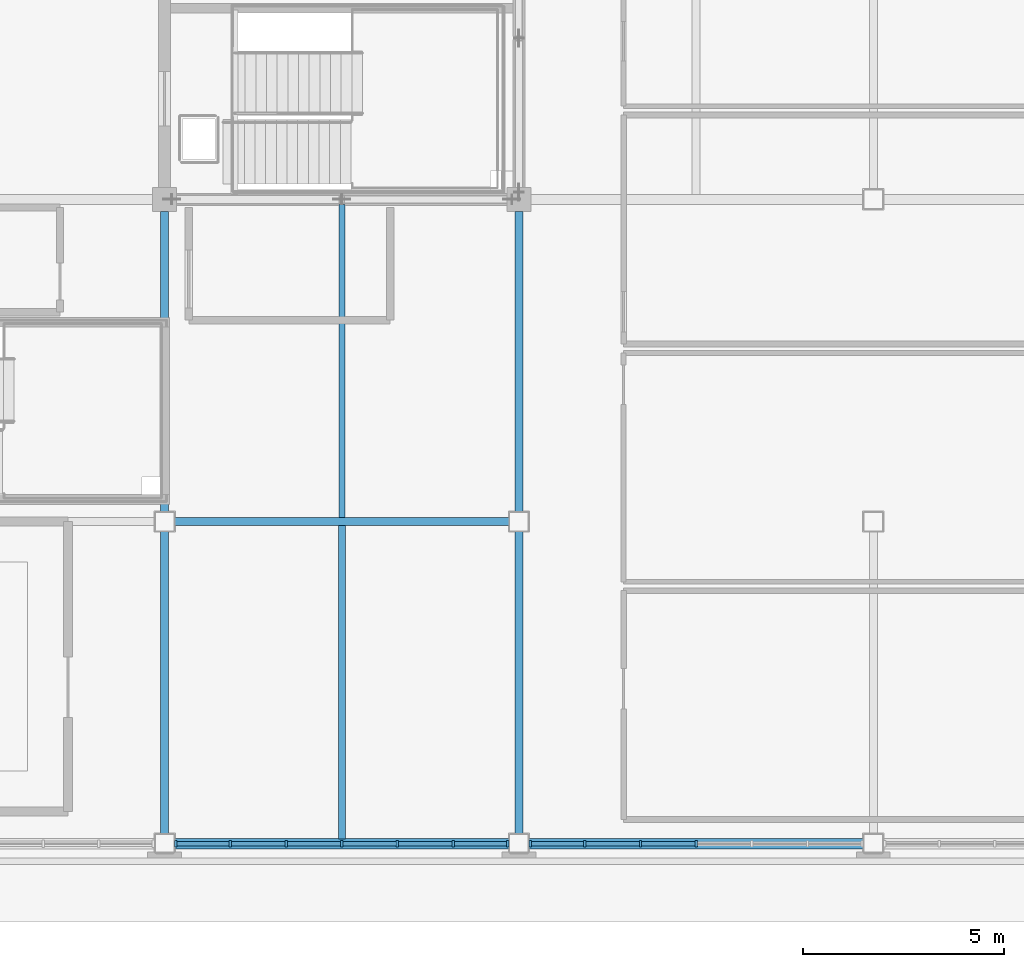
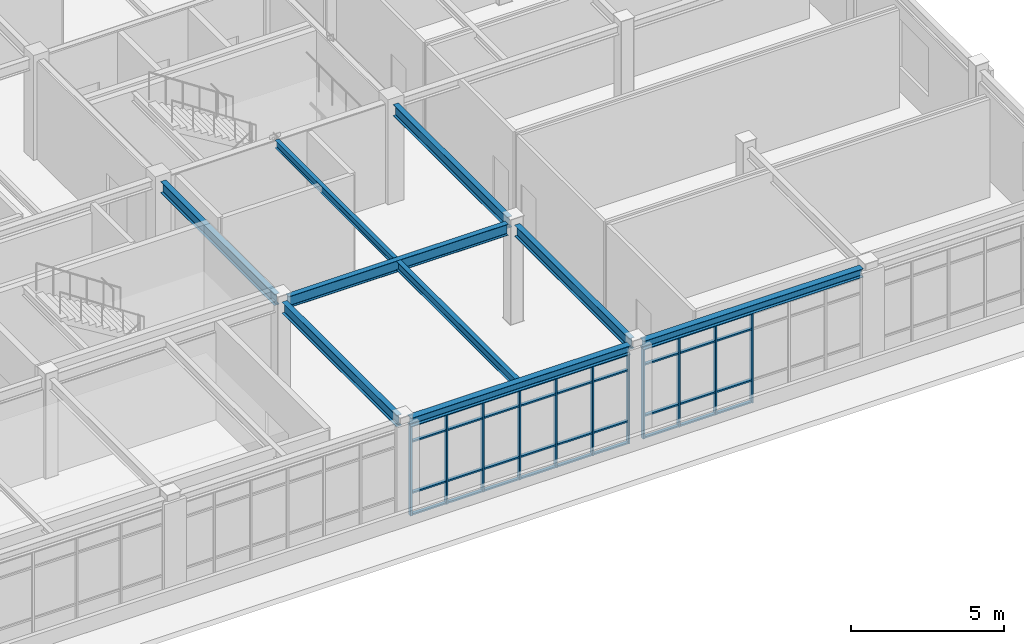
# One storey, part 4 of 22: 47 members, 9 beams, 2 elements without a shape of their own.
"""IFC4 building model written with IfcOpenShell, lengths in metres."""

from ifc_helpers import new_model, si_unit, direction, frame, origin, origin_2d, place, context, subcontext, project, spatial, rectangle, i_section, extrude, material, material_profile, profile_set, type_object, element, aggregate, save


model = new_model("IFC4")

# Units and contexts
model_context = context("Model", 3, precision=1e-05, world=origin(), true_north=direction((0.0, 1.0)))
body_context = subcontext(model_context, "Body", "Model", "MODEL_VIEW")
ifc_project = project(units=[si_unit("LENGTHUNIT", "METRE"), si_unit("AREAUNIT", "SQUARE_METRE"), si_unit("VOLUMEUNIT", "CUBIC_METRE"), si_unit("PLANEANGLEUNIT", "RADIAN"), si_unit("MASSUNIT", "GRAM", prefix="KILO")], contexts=[model_context])

# Site, building, storey
site_placement = place(None, origin())
site = spatial("IfcSite", under=ifc_project, at=site_placement, CompositionType="ELEMENT")
building_placement = place(site_placement, origin())
building = spatial("IfcBuilding", under=site, at=building_placement, Name="Zhaolan Boulevard Law Courts", CompositionType="ELEMENT")
storey_placement = place(building_placement, frame((0.0, 0.0, 28.800048828125)))
storey = spatial("IfcBuildingStorey", under=building, at=storey_placement, Name="L06", CompositionType="ELEMENT", Elevation=28.800048828125)

# Curtain wall, members
ifc_material_1 = material(Name="Thermally broken aluminium and low-E glazing", Category="aluminium")
curtain_wall_type_1 = type_object("IfcCurtainWallType", Name="CURTAIN WALL M10", PredefinedType="USERDEFINED", material=ifc_material_1)
curtain_wall_1_placement = place(storey_placement, origin())
curtain_wall_1 = element("IfcCurtainWall", 1, at=curtain_wall_1_placement, inside=storey, type_object=curtain_wall_type_1, Name="Curtain Wall CW-L06-226", ObjectType="CURTAIN WALL", PredefinedType="USERDEFINED")
ifc_material_2 = material(Name="Fluorocarbon-coated aluminium 6063-T6", Category="aluminium")
ifc_material_profile_1 = material_profile(ifc_material_2, rectangle(XDim=0.159912109375, YDim=0.06005859375, at=origin_2d()), Name="AL60x160")
ifc_profile_set_1 = profile_set([ifc_material_profile_1], Name="Fluorocarbon-coated aluminium 6063-T6")
member_type_1 = type_object("IfcMemberType", Name="CWMULLION 60X160", PredefinedType="MULLION", material=ifc_profile_set_1)
member_1_placement = place(storey_placement, frame((17.882080078125, 30.0, 0.0), z_axis=(0.0, 0.0, 1.0), x_axis=(0.0, 1.0, 0.0)))
member_1 = element("IfcMember", 2, at=member_1_placement, type_object=member_type_1, Name="CW-L06-226 mullion 1", PredefinedType="MULLION", context=body_context, shape_type="SweptSolid", body=[
    extrude(rectangle(XDim=0.159912109375, YDim=0.06005859375, at=origin_2d()), origin(), (0.0, 0.0, 1.0), 3.593017578125),
])
member_2_placement = place(storey_placement, frame((19.234619140625, 30.0, 0.0), z_axis=(0.0, 0.0, 1.0), x_axis=(0.0, 1.0, 0.0)))
member_2 = element("IfcMember", 3, at=member_2_placement, type_object=member_type_1, Name="CW-L06-226 mullion 2", PredefinedType="MULLION", context=body_context, shape_type="SweptSolid", body=[
    extrude(rectangle(XDim=0.159912109375, YDim=0.06005859375, at=origin_2d()), origin(), (0.0, 0.0, 1.0), 3.593017578125),
])
member_3_placement = place(storey_placement, frame((20.617431640625, 30.0, 0.0), z_axis=(0.0, 0.0, 1.0), x_axis=(0.0, 1.0, 0.0)))
member_3 = element("IfcMember", 4, at=member_3_placement, type_object=member_type_1, Name="CW-L06-226 mullion 3", PredefinedType="MULLION", context=body_context, shape_type="SweptSolid", body=[
    extrude(rectangle(XDim=0.159912109375, YDim=0.06005859375, at=origin_2d()), origin(), (0.0, 0.0, 1.0), 3.593017578125),
])
member_4_placement = place(storey_placement, frame((22.0, 30.0, 0.0), z_axis=(0.0, 0.0, 1.0), x_axis=(0.0, 1.0, 0.0)))
member_4 = element("IfcMember", 5, at=member_4_placement, type_object=member_type_1, Name="CW-L06-226 mullion 4", PredefinedType="MULLION", context=body_context, shape_type="SweptSolid", body=[
    extrude(rectangle(XDim=0.159912109375, YDim=0.06005859375, at=origin_2d()), origin(), (0.0, 0.0, 1.0), 3.593017578125),
])
member_5_placement = place(storey_placement, frame((23.382568359375, 30.0, 0.0), z_axis=(0.0, 0.0, 1.0), x_axis=(0.0, 1.0, 0.0)))
member_5 = element("IfcMember", 6, at=member_5_placement, type_object=member_type_1, Name="CW-L06-226 mullion 5", PredefinedType="MULLION", context=body_context, shape_type="SweptSolid", body=[
    extrude(rectangle(XDim=0.159912109375, YDim=0.06005859375, at=origin_2d()), origin(), (0.0, 0.0, 1.0), 3.593017578125),
])
member_6_placement = place(storey_placement, frame((24.765380859375, 30.0, 0.0), z_axis=(0.0, 0.0, 1.0), x_axis=(0.0, 1.0, 0.0)))
member_6 = element("IfcMember", 7, at=member_6_placement, type_object=member_type_1, Name="CW-L06-226 mullion 6", PredefinedType="MULLION", context=body_context, shape_type="SweptSolid", body=[
    extrude(rectangle(XDim=0.159912109375, YDim=0.06005859375, at=origin_2d()), origin(), (0.0, 0.0, 1.0), 3.593017578125),
])
member_7_placement = place(storey_placement, frame((26.117919921875, 30.0, 0.0), z_axis=(0.0, 0.0, 1.0), x_axis=(0.0, 1.0, 0.0)))
member_7 = element("IfcMember", 8, at=member_7_placement, type_object=member_type_1, Name="CW-L06-226 mullion 7", PredefinedType="MULLION", context=body_context, shape_type="SweptSolid", body=[
    extrude(rectangle(XDim=0.159912109375, YDim=0.06005859375, at=origin_2d()), origin(), (0.0, 0.0, 1.0), 3.593017578125),
])

ifc_material_3 = material(Name="Thermally broken aluminium and low-E glazing", Category="aluminium")
curtain_wall_type_2 = type_object("IfcCurtainWallType", Name="CURTAIN WALL M11", PredefinedType="USERDEFINED", material=ifc_material_3)
curtain_wall_2_placement = place(storey_placement, origin())
curtain_wall_2 = element("IfcCurtainWall", 9, at=curtain_wall_2_placement, inside=storey, type_object=curtain_wall_type_2, Name="Curtain Wall CW-L06-227", ObjectType="CURTAIN WALL", PredefinedType="USERDEFINED")
member_8_placement = place(storey_placement, frame((26.681884765625, 30.0, 0.0), z_axis=(0.0, 0.0, 1.0), x_axis=(0.0, 1.0, 0.0)))
member_8 = element("IfcMember", 10, at=member_8_placement, type_object=member_type_1, Name="CW-L06-227 mullion 1", PredefinedType="MULLION", context=body_context, shape_type="SweptSolid", body=[
    extrude(rectangle(XDim=0.159912109375, YDim=0.06005859375, at=origin_2d()), origin(), (0.0, 0.0, 1.0), 3.593017578125),
])
member_9_placement = place(storey_placement, frame((28.03466796875, 30.0, 0.0), z_axis=(0.0, 0.0, 1.0), x_axis=(0.0, 1.0, 0.0)))
member_9 = element("IfcMember", 11, at=member_9_placement, type_object=member_type_1, Name="CW-L06-227 mullion 2", PredefinedType="MULLION", context=body_context, shape_type="SweptSolid", body=[
    extrude(rectangle(XDim=0.159912109375, YDim=0.06005859375, at=origin_2d()), origin(), (0.0, 0.0, 1.0), 3.593017578125),
])
member_10_placement = place(storey_placement, frame((29.417236328125, 30.0, 0.0), z_axis=(0.0, 0.0, 1.0), x_axis=(0.0, 1.0, 0.0)))
member_10 = element("IfcMember", 12, at=member_10_placement, type_object=member_type_1, Name="CW-L06-227 mullion 3", PredefinedType="MULLION", context=body_context, shape_type="SweptSolid", body=[
    extrude(rectangle(XDim=0.159912109375, YDim=0.06005859375, at=origin_2d()), origin(), (0.0, 0.0, 1.0), 3.593017578125),
])
member_11_placement = place(storey_placement, frame((30.800048828125, 30.0, 0.0), z_axis=(0.0, 0.0, 1.0), x_axis=(0.0, 1.0, 0.0)))
member_11 = element("IfcMember", 13, at=member_11_placement, type_object=member_type_1, Name="CW-L06-227 mullion 4", PredefinedType="MULLION", context=body_context, shape_type="SweptSolid", body=[
    extrude(rectangle(XDim=0.159912109375, YDim=0.06005859375, at=origin_2d()), origin(), (0.0, 0.0, 1.0), 3.593017578125),
])

# Member
ifc_material_4 = material(Name="Fluorocarbon-coated aluminium 6063-T6", Category="aluminium")
ifc_material_profile_2 = material_profile(ifc_material_4, rectangle(XDim=0.1201171875, YDim=0.06005859375, at=origin_2d()), Name="AL60x120")
ifc_profile_set_2 = profile_set([ifc_material_profile_2], Name="Fluorocarbon-coated aluminium 6063-T6")
member_type_2 = type_object("IfcMemberType", Name="CWTRANSOM 60X120", PredefinedType="USERDEFINED", material=ifc_profile_set_2)
member_12_placement = place(storey_placement, frame((17.912109375, 30.0, 0.030029296875), z_axis=(1.0, 0.0, 0.0), x_axis=(0.0, 1.0, 0.0)))
member_12 = element("IfcMember", 14, at=member_12_placement, type_object=member_type_2, Name="CW-L06-226 transom 1.1", ObjectType="TRANSOM", PredefinedType="USERDEFINED", context=body_context, shape_type="SweptSolid", body=[
    extrude(rectangle(XDim=0.1201171875, YDim=0.06005859375, at=origin_2d()), origin(), (0.0, 0.0, 1.0), 1.29248046875),
])

member_13_placement = place(storey_placement, frame((17.912109375, 30.0, 0.89990234375), z_axis=(1.0, 0.0, 0.0), x_axis=(0.0, 1.0, 0.0)))
member_13 = element("IfcMember", 15, at=member_13_placement, type_object=member_type_2, Name="CW-L06-226 transom 1.2", ObjectType="TRANSOM", PredefinedType="USERDEFINED", context=body_context, shape_type="SweptSolid", body=[
    extrude(rectangle(XDim=0.1201171875, YDim=0.06005859375, at=origin_2d()), origin(), (0.0, 0.0, 1.0), 1.29248046875),
])

member_14_placement = place(storey_placement, frame((17.912109375, 30.0, 2.94287109375), z_axis=(1.0, 0.0, 0.0), x_axis=(0.0, 1.0, 0.0)))
member_14 = element("IfcMember", 16, at=member_14_placement, type_object=member_type_2, Name="CW-L06-226 transom 1.3", ObjectType="TRANSOM", PredefinedType="USERDEFINED", context=body_context, shape_type="SweptSolid", body=[
    extrude(rectangle(XDim=0.1201171875, YDim=0.06005859375, at=origin_2d()), origin(), (0.0, 0.0, 1.0), 1.29248046875),
])

member_15_placement = place(storey_placement, frame((17.912109375, 30.0, 3.56298828125), z_axis=(1.0, 0.0, 0.0), x_axis=(0.0, 1.0, 0.0)))
member_15 = element("IfcMember", 17, at=member_15_placement, type_object=member_type_2, Name="CW-L06-226 transom 1.4", ObjectType="TRANSOM", PredefinedType="USERDEFINED", context=body_context, shape_type="SweptSolid", body=[
    extrude(rectangle(XDim=0.1201171875, YDim=0.06005859375, at=origin_2d()), origin(), (0.0, 0.0, 1.0), 1.29248046875),
])

member_16_placement = place(storey_placement, frame((19.2646484375, 30.0, 0.030029296875), z_axis=(1.0, 0.0, 0.0), x_axis=(0.0, 1.0, 0.0)))
member_16 = element("IfcMember", 18, at=member_16_placement, type_object=member_type_2, Name="CW-L06-226 transom 2.1", ObjectType="TRANSOM", PredefinedType="USERDEFINED", context=body_context, shape_type="SweptSolid", body=[
    extrude(rectangle(XDim=0.1201171875, YDim=0.06005859375, at=origin_2d()), origin(), (0.0, 0.0, 1.0), 1.32275390625),
])

member_17_placement = place(storey_placement, frame((19.2646484375, 30.0, 0.89990234375), z_axis=(1.0, 0.0, 0.0), x_axis=(0.0, 1.0, 0.0)))
member_17 = element("IfcMember", 19, at=member_17_placement, type_object=member_type_2, Name="CW-L06-226 transom 2.2", ObjectType="TRANSOM", PredefinedType="USERDEFINED", context=body_context, shape_type="SweptSolid", body=[
    extrude(rectangle(XDim=0.1201171875, YDim=0.06005859375, at=origin_2d()), origin(), (0.0, 0.0, 1.0), 1.32275390625),
])

member_18_placement = place(storey_placement, frame((19.2646484375, 30.0, 2.94287109375), z_axis=(1.0, 0.0, 0.0), x_axis=(0.0, 1.0, 0.0)))
member_18 = element("IfcMember", 20, at=member_18_placement, type_object=member_type_2, Name="CW-L06-226 transom 2.3", ObjectType="TRANSOM", PredefinedType="USERDEFINED", context=body_context, shape_type="SweptSolid", body=[
    extrude(rectangle(XDim=0.1201171875, YDim=0.06005859375, at=origin_2d()), origin(), (0.0, 0.0, 1.0), 1.32275390625),
])

member_19_placement = place(storey_placement, frame((19.2646484375, 30.0, 3.56298828125), z_axis=(1.0, 0.0, 0.0), x_axis=(0.0, 1.0, 0.0)))
member_19 = element("IfcMember", 21, at=member_19_placement, type_object=member_type_2, Name="CW-L06-226 transom 2.4", ObjectType="TRANSOM", PredefinedType="USERDEFINED", context=body_context, shape_type="SweptSolid", body=[
    extrude(rectangle(XDim=0.1201171875, YDim=0.06005859375, at=origin_2d()), origin(), (0.0, 0.0, 1.0), 1.32275390625),
])

member_20_placement = place(storey_placement, frame((20.647216796875, 30.0, 0.030029296875), z_axis=(1.0, 0.0, 0.0), x_axis=(0.0, 1.0, 0.0)))
member_20 = element("IfcMember", 22, at=member_20_placement, type_object=member_type_2, Name="CW-L06-226 transom 3.1", ObjectType="TRANSOM", PredefinedType="USERDEFINED", context=body_context, shape_type="SweptSolid", body=[
    extrude(rectangle(XDim=0.1201171875, YDim=0.06005859375, at=origin_2d()), origin(), (0.0, 0.0, 1.0), 1.32275390625),
])

member_21_placement = place(storey_placement, frame((20.647216796875, 30.0, 0.89990234375), z_axis=(1.0, 0.0, 0.0), x_axis=(0.0, 1.0, 0.0)))
member_21 = element("IfcMember", 23, at=member_21_placement, type_object=member_type_2, Name="CW-L06-226 transom 3.2", ObjectType="TRANSOM", PredefinedType="USERDEFINED", context=body_context, shape_type="SweptSolid", body=[
    extrude(rectangle(XDim=0.1201171875, YDim=0.06005859375, at=origin_2d()), origin(), (0.0, 0.0, 1.0), 1.32275390625),
])

member_22_placement = place(storey_placement, frame((20.647216796875, 30.0, 2.94287109375), z_axis=(1.0, 0.0, 0.0), x_axis=(0.0, 1.0, 0.0)))
member_22 = element("IfcMember", 24, at=member_22_placement, type_object=member_type_2, Name="CW-L06-226 transom 3.3", ObjectType="TRANSOM", PredefinedType="USERDEFINED", context=body_context, shape_type="SweptSolid", body=[
    extrude(rectangle(XDim=0.1201171875, YDim=0.06005859375, at=origin_2d()), origin(), (0.0, 0.0, 1.0), 1.32275390625),
])

member_23_placement = place(storey_placement, frame((20.647216796875, 30.0, 3.56298828125), z_axis=(1.0, 0.0, 0.0), x_axis=(0.0, 1.0, 0.0)))
member_23 = element("IfcMember", 25, at=member_23_placement, type_object=member_type_2, Name="CW-L06-226 transom 3.4", ObjectType="TRANSOM", PredefinedType="USERDEFINED", context=body_context, shape_type="SweptSolid", body=[
    extrude(rectangle(XDim=0.1201171875, YDim=0.06005859375, at=origin_2d()), origin(), (0.0, 0.0, 1.0), 1.32275390625),
])

member_24_placement = place(storey_placement, frame((22.030029296875, 30.0, 0.030029296875), z_axis=(1.0, 0.0, 0.0), x_axis=(0.0, 1.0, 0.0)))
member_24 = element("IfcMember", 26, at=member_24_placement, type_object=member_type_2, Name="CW-L06-226 transom 4.1", ObjectType="TRANSOM", PredefinedType="USERDEFINED", context=body_context, shape_type="SweptSolid", body=[
    extrude(rectangle(XDim=0.1201171875, YDim=0.06005859375, at=origin_2d()), origin(), (0.0, 0.0, 1.0), 1.32275390625),
])

member_25_placement = place(storey_placement, frame((22.030029296875, 30.0, 0.89990234375), z_axis=(1.0, 0.0, 0.0), x_axis=(0.0, 1.0, 0.0)))
member_25 = element("IfcMember", 27, at=member_25_placement, type_object=member_type_2, Name="CW-L06-226 transom 4.2", ObjectType="TRANSOM", PredefinedType="USERDEFINED", context=body_context, shape_type="SweptSolid", body=[
    extrude(rectangle(XDim=0.1201171875, YDim=0.06005859375, at=origin_2d()), origin(), (0.0, 0.0, 1.0), 1.32275390625),
])

member_26_placement = place(storey_placement, frame((22.030029296875, 30.0, 2.94287109375), z_axis=(1.0, 0.0, 0.0), x_axis=(0.0, 1.0, 0.0)))
member_26 = element("IfcMember", 28, at=member_26_placement, type_object=member_type_2, Name="CW-L06-226 transom 4.3", ObjectType="TRANSOM", PredefinedType="USERDEFINED", context=body_context, shape_type="SweptSolid", body=[
    extrude(rectangle(XDim=0.1201171875, YDim=0.06005859375, at=origin_2d()), origin(), (0.0, 0.0, 1.0), 1.32275390625),
])

member_27_placement = place(storey_placement, frame((22.030029296875, 30.0, 3.56298828125), z_axis=(1.0, 0.0, 0.0), x_axis=(0.0, 1.0, 0.0)))
member_27 = element("IfcMember", 29, at=member_27_placement, type_object=member_type_2, Name="CW-L06-226 transom 4.4", ObjectType="TRANSOM", PredefinedType="USERDEFINED", context=body_context, shape_type="SweptSolid", body=[
    extrude(rectangle(XDim=0.1201171875, YDim=0.06005859375, at=origin_2d()), origin(), (0.0, 0.0, 1.0), 1.32275390625),
])

member_28_placement = place(storey_placement, frame((23.41259765625, 30.0, 0.030029296875), z_axis=(1.0, 0.0, 0.0), x_axis=(0.0, 1.0, 0.0)))
member_28 = element("IfcMember", 30, at=member_28_placement, type_object=member_type_2, Name="CW-L06-226 transom 5.1", ObjectType="TRANSOM", PredefinedType="USERDEFINED", context=body_context, shape_type="SweptSolid", body=[
    extrude(rectangle(XDim=0.1201171875, YDim=0.06005859375, at=origin_2d()), origin(), (0.0, 0.0, 1.0), 1.32275390625),
])

member_29_placement = place(storey_placement, frame((23.41259765625, 30.0, 0.89990234375), z_axis=(1.0, 0.0, 0.0), x_axis=(0.0, 1.0, 0.0)))
member_29 = element("IfcMember", 31, at=member_29_placement, type_object=member_type_2, Name="CW-L06-226 transom 5.2", ObjectType="TRANSOM", PredefinedType="USERDEFINED", context=body_context, shape_type="SweptSolid", body=[
    extrude(rectangle(XDim=0.1201171875, YDim=0.06005859375, at=origin_2d()), origin(), (0.0, 0.0, 1.0), 1.32275390625),
])

member_30_placement = place(storey_placement, frame((23.41259765625, 30.0, 2.94287109375), z_axis=(1.0, 0.0, 0.0), x_axis=(0.0, 1.0, 0.0)))
member_30 = element("IfcMember", 32, at=member_30_placement, type_object=member_type_2, Name="CW-L06-226 transom 5.3", ObjectType="TRANSOM", PredefinedType="USERDEFINED", context=body_context, shape_type="SweptSolid", body=[
    extrude(rectangle(XDim=0.1201171875, YDim=0.06005859375, at=origin_2d()), origin(), (0.0, 0.0, 1.0), 1.32275390625),
])

member_31_placement = place(storey_placement, frame((23.41259765625, 30.0, 3.56298828125), z_axis=(1.0, 0.0, 0.0), x_axis=(0.0, 1.0, 0.0)))
member_31 = element("IfcMember", 33, at=member_31_placement, type_object=member_type_2, Name="CW-L06-226 transom 5.4", ObjectType="TRANSOM", PredefinedType="USERDEFINED", context=body_context, shape_type="SweptSolid", body=[
    extrude(rectangle(XDim=0.1201171875, YDim=0.06005859375, at=origin_2d()), origin(), (0.0, 0.0, 1.0), 1.32275390625),
])

member_32_placement = place(storey_placement, frame((24.79541015625, 30.0, 0.030029296875), z_axis=(1.0, 0.0, 0.0), x_axis=(0.0, 1.0, 0.0)))
member_32 = element("IfcMember", 34, at=member_32_placement, type_object=member_type_2, Name="CW-L06-226 transom 6.1", ObjectType="TRANSOM", PredefinedType="USERDEFINED", context=body_context, shape_type="SweptSolid", body=[
    extrude(rectangle(XDim=0.1201171875, YDim=0.06005859375, at=origin_2d()), origin(), (0.0, 0.0, 1.0), 1.29248046875),
])

member_33_placement = place(storey_placement, frame((24.79541015625, 30.0, 0.89990234375), z_axis=(1.0, 0.0, 0.0), x_axis=(0.0, 1.0, 0.0)))
member_33 = element("IfcMember", 35, at=member_33_placement, type_object=member_type_2, Name="CW-L06-226 transom 6.2", ObjectType="TRANSOM", PredefinedType="USERDEFINED", context=body_context, shape_type="SweptSolid", body=[
    extrude(rectangle(XDim=0.1201171875, YDim=0.06005859375, at=origin_2d()), origin(), (0.0, 0.0, 1.0), 1.29248046875),
])

member_34_placement = place(storey_placement, frame((24.79541015625, 30.0, 2.94287109375), z_axis=(1.0, 0.0, 0.0), x_axis=(0.0, 1.0, 0.0)))
member_34 = element("IfcMember", 36, at=member_34_placement, type_object=member_type_2, Name="CW-L06-226 transom 6.3", ObjectType="TRANSOM", PredefinedType="USERDEFINED", context=body_context, shape_type="SweptSolid", body=[
    extrude(rectangle(XDim=0.1201171875, YDim=0.06005859375, at=origin_2d()), origin(), (0.0, 0.0, 1.0), 1.29248046875),
])

member_35_placement = place(storey_placement, frame((24.79541015625, 30.0, 3.56298828125), z_axis=(1.0, 0.0, 0.0), x_axis=(0.0, 1.0, 0.0)))
member_35 = element("IfcMember", 37, at=member_35_placement, type_object=member_type_2, Name="CW-L06-226 transom 6.4", ObjectType="TRANSOM", PredefinedType="USERDEFINED", context=body_context, shape_type="SweptSolid", body=[
    extrude(rectangle(XDim=0.1201171875, YDim=0.06005859375, at=origin_2d()), origin(), (0.0, 0.0, 1.0), 1.29248046875),
])

aggregate(curtain_wall_1, [member_1, member_2, member_3, member_4, member_5, member_6, member_7, member_12, member_13, member_14, member_15, member_16, member_17, member_18, member_19, member_20, member_21, member_22, member_23, member_24, member_25, member_26, member_27, member_28, member_29, member_30, member_31, member_32, member_33, member_34, member_35])

member_36_placement = place(storey_placement, frame((26.7119140625, 30.0, 0.030029296875), z_axis=(1.0, 0.0, 0.0), x_axis=(0.0, 1.0, 0.0)))
member_36 = element("IfcMember", 38, at=member_36_placement, type_object=member_type_2, Name="CW-L06-227 transom 1.1", ObjectType="TRANSOM", PredefinedType="USERDEFINED", context=body_context, shape_type="SweptSolid", body=[
    extrude(rectangle(XDim=0.1201171875, YDim=0.06005859375, at=origin_2d()), origin(), (0.0, 0.0, 1.0), 1.292724609375),
])

member_37_placement = place(storey_placement, frame((26.7119140625, 30.0, 0.89990234375), z_axis=(1.0, 0.0, 0.0), x_axis=(0.0, 1.0, 0.0)))
member_37 = element("IfcMember", 39, at=member_37_placement, type_object=member_type_2, Name="CW-L06-227 transom 1.2", ObjectType="TRANSOM", PredefinedType="USERDEFINED", context=body_context, shape_type="SweptSolid", body=[
    extrude(rectangle(XDim=0.1201171875, YDim=0.06005859375, at=origin_2d()), origin(), (0.0, 0.0, 1.0), 1.292724609375),
])

member_38_placement = place(storey_placement, frame((26.7119140625, 30.0, 2.94287109375), z_axis=(1.0, 0.0, 0.0), x_axis=(0.0, 1.0, 0.0)))
member_38 = element("IfcMember", 40, at=member_38_placement, type_object=member_type_2, Name="CW-L06-227 transom 1.3", ObjectType="TRANSOM", PredefinedType="USERDEFINED", context=body_context, shape_type="SweptSolid", body=[
    extrude(rectangle(XDim=0.1201171875, YDim=0.06005859375, at=origin_2d()), origin(), (0.0, 0.0, 1.0), 1.292724609375),
])

member_39_placement = place(storey_placement, frame((26.7119140625, 30.0, 3.56298828125), z_axis=(1.0, 0.0, 0.0), x_axis=(0.0, 1.0, 0.0)))
member_39 = element("IfcMember", 41, at=member_39_placement, type_object=member_type_2, Name="CW-L06-227 transom 1.4", ObjectType="TRANSOM", PredefinedType="USERDEFINED", context=body_context, shape_type="SweptSolid", body=[
    extrude(rectangle(XDim=0.1201171875, YDim=0.06005859375, at=origin_2d()), origin(), (0.0, 0.0, 1.0), 1.292724609375),
])

member_40_placement = place(storey_placement, frame((28.064697265625, 30.0, 0.030029296875), z_axis=(1.0, 0.0, 0.0), x_axis=(0.0, 1.0, 0.0)))
member_40 = element("IfcMember", 42, at=member_40_placement, type_object=member_type_2, Name="CW-L06-227 transom 2.1", ObjectType="TRANSOM", PredefinedType="USERDEFINED", context=body_context, shape_type="SweptSolid", body=[
    extrude(rectangle(XDim=0.1201171875, YDim=0.06005859375, at=origin_2d()), origin(), (0.0, 0.0, 1.0), 1.32275390625),
])

member_41_placement = place(storey_placement, frame((28.064697265625, 30.0, 0.89990234375), z_axis=(1.0, 0.0, 0.0), x_axis=(0.0, 1.0, 0.0)))
member_41 = element("IfcMember", 43, at=member_41_placement, type_object=member_type_2, Name="CW-L06-227 transom 2.2", ObjectType="TRANSOM", PredefinedType="USERDEFINED", context=body_context, shape_type="SweptSolid", body=[
    extrude(rectangle(XDim=0.1201171875, YDim=0.06005859375, at=origin_2d()), origin(), (0.0, 0.0, 1.0), 1.32275390625),
])

member_42_placement = place(storey_placement, frame((28.064697265625, 30.0, 2.94287109375), z_axis=(1.0, 0.0, 0.0), x_axis=(0.0, 1.0, 0.0)))
member_42 = element("IfcMember", 44, at=member_42_placement, type_object=member_type_2, Name="CW-L06-227 transom 2.3", ObjectType="TRANSOM", PredefinedType="USERDEFINED", context=body_context, shape_type="SweptSolid", body=[
    extrude(rectangle(XDim=0.1201171875, YDim=0.06005859375, at=origin_2d()), origin(), (0.0, 0.0, 1.0), 1.32275390625),
])

member_43_placement = place(storey_placement, frame((28.064697265625, 30.0, 3.56298828125), z_axis=(1.0, 0.0, 0.0), x_axis=(0.0, 1.0, 0.0)))
member_43 = element("IfcMember", 45, at=member_43_placement, type_object=member_type_2, Name="CW-L06-227 transom 2.4", ObjectType="TRANSOM", PredefinedType="USERDEFINED", context=body_context, shape_type="SweptSolid", body=[
    extrude(rectangle(XDim=0.1201171875, YDim=0.06005859375, at=origin_2d()), origin(), (0.0, 0.0, 1.0), 1.32275390625),
])

member_44_placement = place(storey_placement, frame((29.447265625, 30.0, 0.030029296875), z_axis=(1.0, 0.0, 0.0), x_axis=(0.0, 1.0, 0.0)))
member_44 = element("IfcMember", 46, at=member_44_placement, type_object=member_type_2, Name="CW-L06-227 transom 3.1", ObjectType="TRANSOM", PredefinedType="USERDEFINED", context=body_context, shape_type="SweptSolid", body=[
    extrude(rectangle(XDim=0.1201171875, YDim=0.06005859375, at=origin_2d()), origin(), (0.0, 0.0, 1.0), 1.32275390625),
])

member_45_placement = place(storey_placement, frame((29.447265625, 30.0, 0.89990234375), z_axis=(1.0, 0.0, 0.0), x_axis=(0.0, 1.0, 0.0)))
member_45 = element("IfcMember", 47, at=member_45_placement, type_object=member_type_2, Name="CW-L06-227 transom 3.2", ObjectType="TRANSOM", PredefinedType="USERDEFINED", context=body_context, shape_type="SweptSolid", body=[
    extrude(rectangle(XDim=0.1201171875, YDim=0.06005859375, at=origin_2d()), origin(), (0.0, 0.0, 1.0), 1.32275390625),
])

member_46_placement = place(storey_placement, frame((29.447265625, 30.0, 2.94287109375), z_axis=(1.0, 0.0, 0.0), x_axis=(0.0, 1.0, 0.0)))
member_46 = element("IfcMember", 48, at=member_46_placement, type_object=member_type_2, Name="CW-L06-227 transom 3.3", ObjectType="TRANSOM", PredefinedType="USERDEFINED", context=body_context, shape_type="SweptSolid", body=[
    extrude(rectangle(XDim=0.1201171875, YDim=0.06005859375, at=origin_2d()), origin(), (0.0, 0.0, 1.0), 1.32275390625),
])

member_47_placement = place(storey_placement, frame((29.447265625, 30.0, 3.56298828125), z_axis=(1.0, 0.0, 0.0), x_axis=(0.0, 1.0, 0.0)))
member_47 = element("IfcMember", 49, at=member_47_placement, type_object=member_type_2, Name="CW-L06-227 transom 3.4", ObjectType="TRANSOM", PredefinedType="USERDEFINED", context=body_context, shape_type="SweptSolid", body=[
    extrude(rectangle(XDim=0.1201171875, YDim=0.06005859375, at=origin_2d()), origin(), (0.0, 0.0, 1.0), 1.32275390625),
])

aggregate(curtain_wall_2, [member_8, member_9, member_10, member_11, member_36, member_37, member_38, member_39, member_40, member_41, member_42, member_43, member_44, member_45, member_46, member_47])

# Beams
ifc_material_5 = material(Name="Structural steel Q355B", Category="steel")
ifc_material_profile_3 = material_profile(ifc_material_5, i_section(OverallWidth=0.199951171875, OverallDepth=0.449951171875, WebThickness=0.009033203125, FlangeThickness=0.013916015625, FilletRadius=0.01611328125, at=origin_2d()), Name="HN450x200")
ifc_profile_set_3 = profile_set([ifc_material_profile_3], Name="Structural steel Q355B")
beam_type_1 = type_object("IfcBeamType", Name="GIRDER HN450", PredefinedType="BEAM", material=ifc_profile_set_3)
beam_1_placement = place(storey_placement, frame((17.845947265625, 38.0, 3.722900390625), z_axis=(1.0, 0.0, 0.0), x_axis=(0.0, 1.0, 0.0)))
element("IfcBeam", 50, at=beam_1_placement, inside=storey, type_object=beam_type_1, Name="Beam BX-L07-3-4-F", PredefinedType="BEAM", context=body_context, shape_type="SweptSolid", body=[
    extrude(i_section(OverallWidth=0.199951171875, OverallDepth=0.449951171875, WebThickness=0.009033203125, FlangeThickness=0.013916015625, FilletRadius=0.01611328125, at=origin_2d()), origin(), (0.0, 0.0, 1.0), 8.30810546875),
])
beam_2_placement = place(storey_placement, frame((17.60009765625, 30.24609375, 3.722900390625), z_axis=(0.0, 1.0, 0.0), x_axis=(-1.0, 0.0, 0.0)))
element("IfcBeam", 51, at=beam_2_placement, inside=storey, type_object=beam_type_1, Name="Beam BY-L07-3-E-F", PredefinedType="BEAM", context=body_context, shape_type="SweptSolid", body=[
    extrude(i_section(OverallWidth=0.199951171875, OverallDepth=0.449951171875, WebThickness=0.009033203125, FlangeThickness=0.013916015625, FilletRadius=0.01611328125, at=origin_2d()), origin(), (0.0, 0.0, 1.0), 7.5078125),
])
beam_3_placement = place(storey_placement, frame((17.60009765625, 38.24609375, 3.722900390625), z_axis=(0.0, 1.0, 0.0), x_axis=(-1.0, 0.0, 0.0)))
element("IfcBeam", 52, at=beam_3_placement, inside=storey, type_object=beam_type_1, Name="Beam BY-L07-3-F-G", PredefinedType="BEAM", context=body_context, shape_type="SweptSolid", body=[
    extrude(i_section(OverallWidth=0.199951171875, OverallDepth=0.449951171875, WebThickness=0.009033203125, FlangeThickness=0.013916015625, FilletRadius=0.01611328125, at=origin_2d()), origin(), (0.0, 0.0, 1.0), 7.4580078125),
])
beam_4_placement = place(storey_placement, frame((26.39990234375, 30.24609375, 3.722900390625), z_axis=(0.0, 1.0, 0.0), x_axis=(-1.0, 0.0, 0.0)))
element("IfcBeam", 53, at=beam_4_placement, inside=storey, type_object=beam_type_1, Name="Beam BY-L07-4-E-F", PredefinedType="BEAM", context=body_context, shape_type="SweptSolid", body=[
    extrude(i_section(OverallWidth=0.199951171875, OverallDepth=0.449951171875, WebThickness=0.009033203125, FlangeThickness=0.013916015625, FilletRadius=0.01611328125, at=origin_2d()), origin(), (0.0, 0.0, 1.0), 7.5078125),
])
beam_5_placement = place(storey_placement, frame((26.39990234375, 38.24609375, 3.722900390625), z_axis=(0.0, 1.0, 0.0), x_axis=(-1.0, 0.0, 0.0)))
element("IfcBeam", 54, at=beam_5_placement, inside=storey, type_object=beam_type_1, Name="Beam BY-L07-4-F-G", PredefinedType="BEAM", context=body_context, shape_type="SweptSolid", body=[
    extrude(i_section(OverallWidth=0.199951171875, OverallDepth=0.449951171875, WebThickness=0.009033203125, FlangeThickness=0.013916015625, FilletRadius=0.01611328125, at=origin_2d()), origin(), (0.0, 0.0, 1.0), 7.4580078125),
])
ifc_material_6 = material(Name="Structural steel Q355B", Category="steel")
ifc_material_profile_4 = material_profile(ifc_material_6, i_section(OverallWidth=0.14990234375, OverallDepth=0.300048828125, WebThickness=0.006591796875, FlangeThickness=0.009033203125, FilletRadius=0.010986328125, at=origin_2d()), Name="HN300x150")
ifc_profile_set_4 = profile_set([ifc_material_profile_4], Name="Structural steel Q355B")
beam_type_2 = type_object("IfcBeamType", Name="JOIST HN300", PredefinedType="JOIST", material=ifc_profile_set_4)
beam_6_placement = place(storey_placement, frame((22.0, 38.095947265625, 3.7978515625), z_axis=(0.0, 1.0, 0.0), x_axis=(-1.0, 0.0, 0.0)))
element("IfcBeam", 55, at=beam_6_placement, inside=storey, type_object=beam_type_2, Name="Composite Joist J-L07-3F", PredefinedType="JOIST", context=body_context, shape_type="SweptSolid", body=[
    extrude(i_section(OverallWidth=0.14990234375, OverallDepth=0.300048828125, WebThickness=0.006591796875, FlangeThickness=0.009033203125, FilletRadius=0.010986328125, at=origin_2d()), origin(), (0.0, 0.0, 1.0), 7.782958984375),
])
ifc_material_7 = material(Name="Structural steel Q355B", Category="steel")
ifc_material_profile_5 = material_profile(ifc_material_7, i_section(OverallWidth=0.175048828125, OverallDepth=0.35009765625, WebThickness=0.007080078125, FlangeThickness=0.010986328125, FilletRadius=0.012939453125, at=origin_2d()), Name="HN350x175")
ifc_profile_set_5 = profile_set([ifc_material_profile_5], Name="Structural steel Q355B")
beam_type_3 = type_object("IfcBeamType", Name="JOIST HN350", PredefinedType="JOIST", material=ifc_profile_set_5)
beam_7_placement = place(storey_placement, frame((22.0, 30.12109375, 3.77294921875), z_axis=(0.0, 1.0, 0.0), x_axis=(-1.0, 0.0, 0.0)))
element("IfcBeam", 56, at=beam_7_placement, inside=storey, type_object=beam_type_3, Name="Composite Joist J-L07-3E", PredefinedType="JOIST", context=body_context, shape_type="SweptSolid", body=[
    extrude(i_section(OverallWidth=0.175048828125, OverallDepth=0.35009765625, WebThickness=0.007080078125, FlangeThickness=0.010986328125, FilletRadius=0.012939453125, at=origin_2d()), origin(), (0.0, 0.0, 1.0), 7.782958984375),
])
ifc_material_8 = material(Name="Structural steel Q355B", Category="steel")
ifc_material_profile_6 = material_profile(ifc_material_8, i_section(OverallWidth=0.25, OverallDepth=0.340087890625, WebThickness=0.009033203125, FlangeThickness=0.013916015625, FilletRadius=0.01611328125, at=origin_2d()), Name="HM340x250")
ifc_profile_set_6 = profile_set([ifc_material_profile_6], Name="Structural steel Q355B")
beam_type_4 = type_object("IfcBeamType", Name="SPANDREL HM340", PredefinedType="SPANDREL", material=ifc_profile_set_6)
for number, where, z_axis, x_axis, name in (
    (57, (17.845947265625, 30.0, 3.77783203125), (1.0, 0.0, 0.0), (0.0, 1.0, 0.0), "Beam BX-L07-3-4-E"),
    (58, (26.64599609375, 30.0, 3.77783203125), (1.0, 0.0, 0.0), (0.0, 1.0, 0.0), "Beam BX-L07-4-5-E"),
):
    element("IfcBeam", number, at=place(storey_placement, frame(where, z_axis=z_axis, x_axis=x_axis)), inside=storey, type_object=beam_type_4, Name=name, PredefinedType="SPANDREL", context=body_context, shape_type="SweptSolid", body=[
        extrude(i_section(OverallWidth=0.25, OverallDepth=0.340087890625, WebThickness=0.009033203125, FlangeThickness=0.013916015625, FilletRadius=0.01611328125, at=origin_2d()), origin(), (0.0, 0.0, 1.0), 8.30810546875),
    ])

save(model, "model.ifc")
